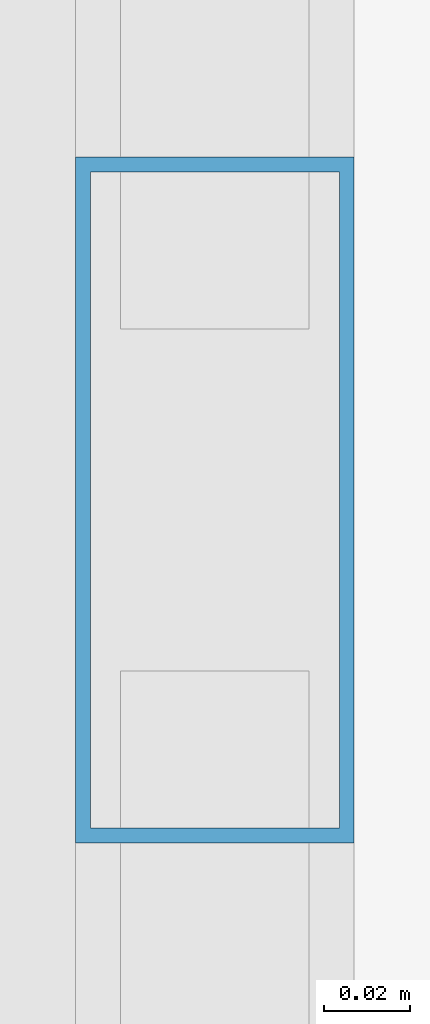
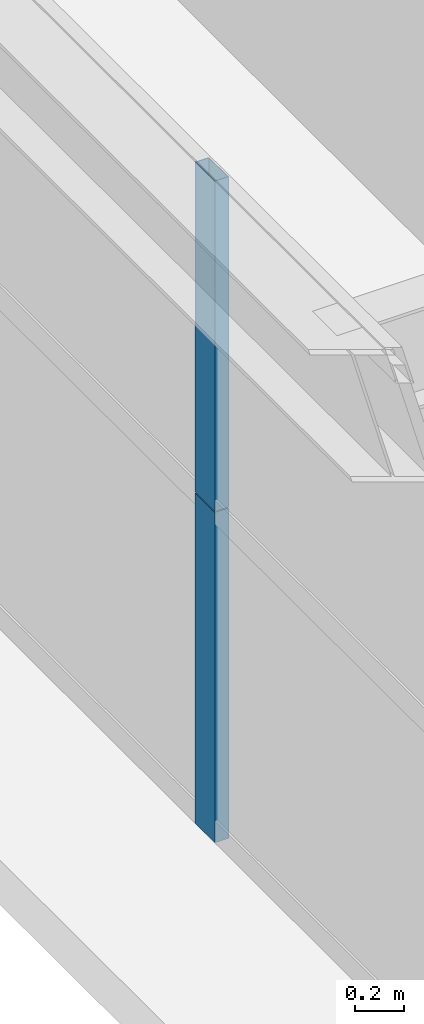
# One storey, part 14 of 38: 2 members, 1 element without a shape of its own.
"""IFC4 building model written with IfcOpenShell, lengths in metres."""

from ifc_helpers import new_model, si_unit, direction, frame, origin, origin_2d, place, context, subcontext, project, spatial, hollow_rectangle, extrude, source, transform, mapped, material, layer, layer_set, material_profile, profile_set, type_object, element, aggregate, save


model = new_model("IFC4")

# Units and contexts
model_context = context("Model", 3, precision=1e-05, world=origin(), true_north=direction((0.0, 1.0)))
body_context = subcontext(model_context, "Body", "Model", "MODEL_VIEW")
ifc_project = project(units=[si_unit("LENGTHUNIT", "METRE"), si_unit("AREAUNIT", "SQUARE_METRE"), si_unit("VOLUMEUNIT", "CUBIC_METRE"), si_unit("PLANEANGLEUNIT", "RADIAN"), si_unit("MASSUNIT", "GRAM", prefix="KILO"), si_unit("THERMODYNAMICTEMPERATUREUNIT", "KELVIN"), si_unit("POWERUNIT", "WATT")], contexts=[model_context])

# Site, building, storey
site_placement = place(None, origin())
site = spatial("IfcSite", under=ifc_project, at=site_placement, CompositionType="ELEMENT")
building_placement = place(site_placement, origin())
building = spatial("IfcBuilding", under=site, at=building_placement, Name="Yuzanri Waterfront Tower", CompositionType="ELEMENT")
storey_placement = place(building_placement, frame((0.0, 0.0, 202.0)))
storey = spatial("IfcBuildingStorey", under=building, at=storey_placement, Name="L53", CompositionType="ELEMENT", Elevation=202.0)

# Curtain wall, members
ifc_material_1 = material(Name="Anodized Architectural Bronze", Category="metal")
ifc_layer = layer(ifc_material_1, 0.159912109375)
ifc_layer_set = layer_set([ifc_layer], Name="Anodized Architectural Bronze")
curtain_wall_type = type_object("IfcCurtainWallType", Name="Anodized Bronze Mid-Rise Residential Acoustic Unitized Curtain Wall 7200", PredefinedType="NOTDEFINED", material=ifc_layer_set)
curtain_wall_placement = place(storey_placement, origin())
curtain_wall = element("IfcCurtainWall", 1, at=curtain_wall_placement, inside=storey, type_object=curtain_wall_type, Name="L53 Curtain Wall CW-L53-WR", PredefinedType="NOTDEFINED")
ifc_material_2 = material(Name="Anodized Architectural Bronze", Category="metal")
ifc_material_profile = material_profile(ifc_material_2, hollow_rectangle(XDim=0.06494140625, YDim=0.159912109375, WallThickness=0.00341796875, at=origin_2d()), Name="CWM 65x160")
ifc_profile_set = profile_set([ifc_material_profile], Name="Anodized Architectural Bronze")
member_type = type_object("IfcMemberType", Name="Anodized Bronze Upper-Zone Curtain-Wall Mullion 65x160", PredefinedType="MULLION", material=ifc_profile_set)
shared_shape = source(origin(), body_context, "Body", "SweptSolid", [
    extrude(hollow_rectangle(XDim=0.06494140625, YDim=0.159912109375, WallThickness=0.00341796875, at=origin_2d()), origin(), (0.0, 0.0, 1.0), 1.637939453125),
])
member_1_placement = place(storey_placement, frame((15.050048828125, 33.375, 0.0), z_axis=(0.0, 0.0, 1.0), x_axis=(1.0, 0.0, 0.0)))
member_1 = element("IfcMember", 2, at=member_1_placement, type_object=member_type, Name="CW-L53-WR Lower Mullion 01", PredefinedType="MULLION", context=body_context, shape_type="MappedRepresentation", body=[
    mapped(shared_shape, transform((0.0, 0.0, 0.0), scale=1.0)),
])
member_2_placement = place(storey_placement, frame((15.050048828125, 33.375, 1.64208984375), z_axis=(0.0, 0.0, 1.0), x_axis=(1.0, 0.0, 0.0)))
member_2 = element("IfcMember", 3, at=member_2_placement, type_object=member_type, Name="CW-L53-WR Upper Mullion 01", PredefinedType="MULLION", context=body_context, shape_type="MappedRepresentation", body=[
    mapped(shared_shape, transform((0.0, 0.0, 0.0), scale=1.0)),
])
aggregate(curtain_wall, [member_1, member_2])

save(model, "model.ifc")
